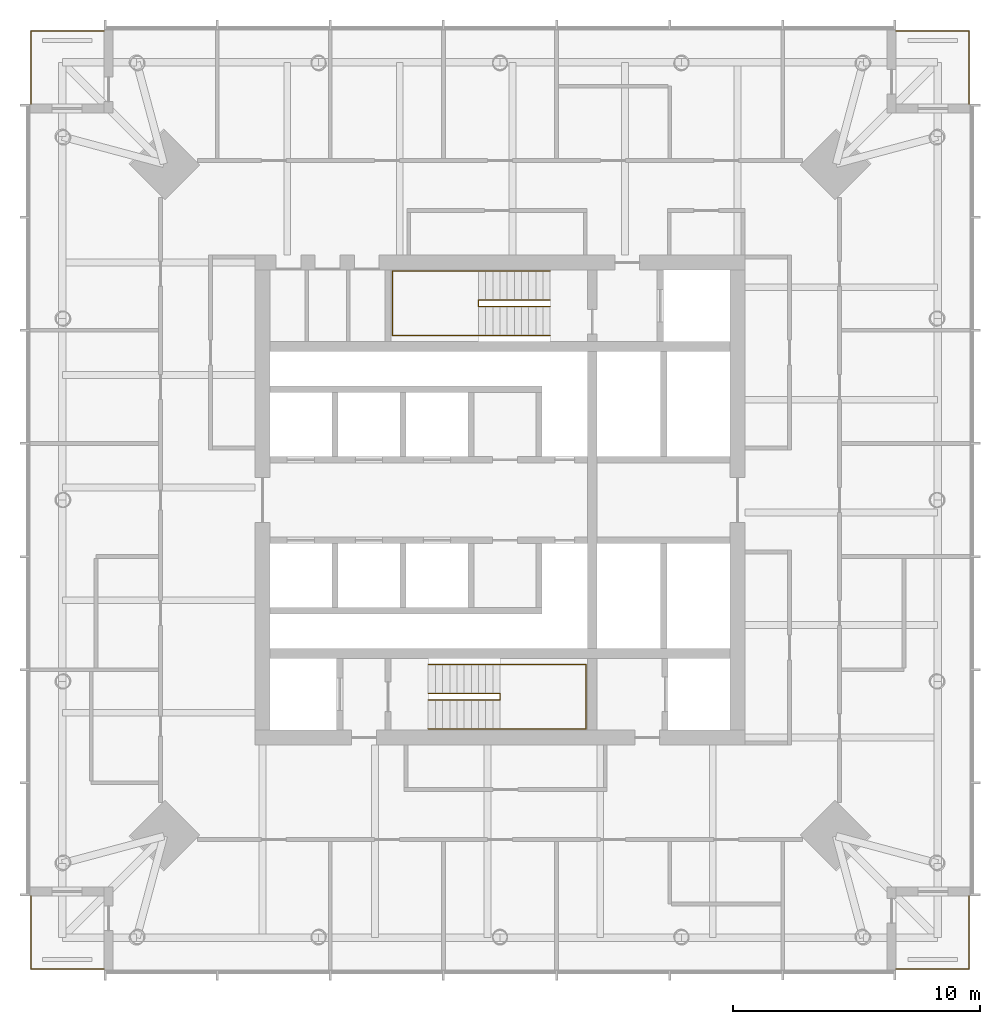
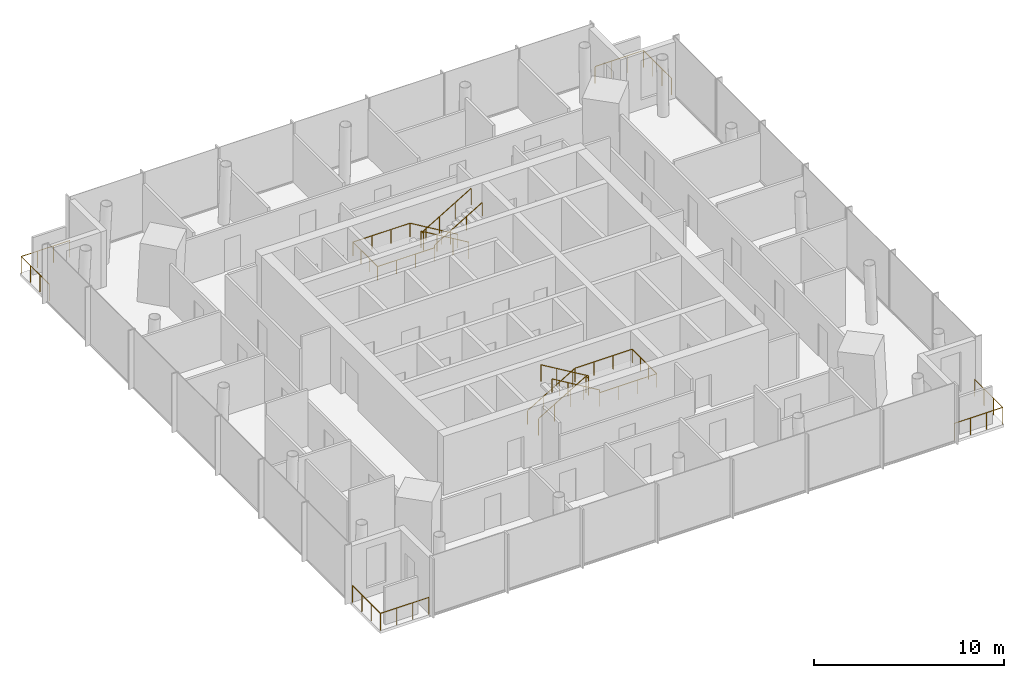
# One storey, part 7 of 7: 8 railings.
"""IFC4 building model written with IfcOpenShell, lengths in metres."""

from ifc_helpers import new_model, si_unit, direction, frame, origin, origin_2d, place, context, subcontext, project, spatial, circle, extrude, material, type_object, element, save


model = new_model("IFC4")

# Units and contexts
model_context = context("Model", 3, precision=1e-05, world=origin(), true_north=direction((0.0, 1.0)))
body_context = subcontext(model_context, "Body", "Model", "MODEL_VIEW")
ifc_project = project(units=[si_unit("LENGTHUNIT", "METRE"), si_unit("AREAUNIT", "SQUARE_METRE"), si_unit("VOLUMEUNIT", "CUBIC_METRE"), si_unit("PLANEANGLEUNIT", "RADIAN"), si_unit("MASSUNIT", "GRAM", prefix="KILO")], contexts=[model_context])

# Site, building, storey
site_placement = place(None, origin())
site = spatial("IfcSite", under=ifc_project, at=site_placement, CompositionType="ELEMENT")
building_placement = place(site_placement, origin())
building = spatial("IfcBuilding", under=site, at=building_placement, Name="Ostroluk Exchange", CompositionType="ELEMENT")
storey_placement = place(building_placement, frame((0.0, 0.0, 218.60009765625)))
storey = spatial("IfcBuildingStorey", under=building, at=storey_placement, Name="L56", CompositionType="ELEMENT", Elevation=218.60009765625)

# Railings
ifc_material_1 = material(Name="Stainless steel", Category="steel")
railing_type_1 = type_object("IfcRailingType", Name="Guard 1100 stainless steel", PredefinedType="GUARDRAIL", material=ifc_material_1)
railing_1_placement = place(storey_placement, frame((61.0, 27.050048828125, 0.0)))
element("IfcRailing", 1, at=railing_1_placement, inside=storey, type_object=railing_type_1, Name="Office tower SE balcony guard L56", PredefinedType="GUARDRAIL", context=body_context, shape_type="SweptSolid", body=[
    extrude(circle(Radius=0.02392578125, at=origin_2d()), frame((0.0, 0.0, 1.076171875), z_axis=(1.0, 0.0, 0.0), x_axis=(0.0, 1.0, 0.0)), (0.0, 0.0, 1.0), 2.949951171875),
    extrude(circle(Radius=0.02392578125, at=origin_2d()), frame((2.949951171875, 0.0, 1.076171875), z_axis=(0.0, 1.0, 0.0), x_axis=(-1.0, 0.0, 0.0)), (0.0, 0.0, 1.0), 2.949951171875),
    extrude(circle(Radius=0.02099609375, at=origin_2d()), origin(), (0.0, 0.0, 1.0), 1.052001953125),
    extrude(circle(Radius=0.02099609375, at=origin_2d()), frame((0.9833984375, 0.0, 0.0)), (0.0, 0.0, 1.0), 1.052001953125),
    extrude(circle(Radius=0.02099609375, at=origin_2d()), frame((1.966552734375, 0.0, 0.0)), (0.0, 0.0, 1.0), 1.052001953125),
    extrude(circle(Radius=0.02099609375, at=origin_2d()), frame((2.949951171875, 0.0, 0.0)), (0.0, 0.0, 1.0), 1.052001953125),
    extrude(circle(Radius=0.02099609375, at=origin_2d()), frame((2.949951171875, 0.9833984375, 0.0)), (0.0, 0.0, 1.0), 1.052001953125),
    extrude(circle(Radius=0.02099609375, at=origin_2d()), frame((2.949951171875, 1.966552734375, 0.0)), (0.0, 0.0, 1.0), 1.052001953125),
    extrude(circle(Radius=0.02099609375, at=origin_2d()), frame((2.949951171875, 2.949951171875, 0.0)), (0.0, 0.0, 1.0), 1.052001953125),
])
railing_2_placement = place(storey_placement, frame((61.0, 64.949951171875, 0.0)))
element("IfcRailing", 2, at=railing_2_placement, inside=storey, type_object=railing_type_1, Name="Office tower NE balcony guard L56", PredefinedType="GUARDRAIL", context=body_context, shape_type="SweptSolid", body=[
    extrude(circle(Radius=0.02392578125, at=origin_2d()), frame((0.0, 0.0, 1.076171875), z_axis=(1.0, 0.0, 0.0), x_axis=(0.0, 1.0, 0.0)), (0.0, 0.0, 1.0), 2.949951171875),
    extrude(circle(Radius=0.02392578125, at=origin_2d()), frame((2.949951171875, 0.0, 1.076171875), z_axis=(0.0, -1.0, 0.0), x_axis=(1.0, 0.0, 0.0)), (0.0, 0.0, 1.0), 2.949951171875),
    extrude(circle(Radius=0.02099609375, at=origin_2d()), origin(), (0.0, 0.0, 1.0), 1.052001953125),
    extrude(circle(Radius=0.02099609375, at=origin_2d()), frame((0.9833984375, 0.0, 0.0)), (0.0, 0.0, 1.0), 1.052001953125),
    extrude(circle(Radius=0.02099609375, at=origin_2d()), frame((1.966552734375, 0.0, 0.0)), (0.0, 0.0, 1.0), 1.052001953125),
    extrude(circle(Radius=0.02099609375, at=origin_2d()), frame((2.949951171875, 0.0, 0.0)), (0.0, 0.0, 1.0), 1.052001953125),
    extrude(circle(Radius=0.02099609375, at=origin_2d()), frame((2.949951171875, -0.9833984375, 0.0)), (0.0, 0.0, 1.0), 1.052001953125),
    extrude(circle(Radius=0.02099609375, at=origin_2d()), frame((2.949951171875, -1.966552734375, 0.0)), (0.0, 0.0, 1.0), 1.052001953125),
    extrude(circle(Radius=0.02099609375, at=origin_2d()), frame((2.949951171875, -2.949951171875, 0.0)), (0.0, 0.0, 1.0), 1.052001953125),
])
railing_3_placement = place(storey_placement, frame((29.0, 64.949951171875, 0.0)))
element("IfcRailing", 3, at=railing_3_placement, inside=storey, type_object=railing_type_1, Name="Office tower NW balcony guard L56", PredefinedType="GUARDRAIL", context=body_context, shape_type="SweptSolid", body=[
    extrude(circle(Radius=0.02392578125, at=origin_2d()), frame((0.0, 0.0, 1.076171875), z_axis=(-1.0, 0.0, 0.0), x_axis=(0.0, -1.0, 0.0)), (0.0, 0.0, 1.0), 2.949951171875),
    extrude(circle(Radius=0.02392578125, at=origin_2d()), frame((-2.949951171875, 0.0, 1.076171875), z_axis=(0.0, -1.0, 0.0), x_axis=(1.0, 0.0, 0.0)), (0.0, 0.0, 1.0), 2.949951171875),
    extrude(circle(Radius=0.02099609375, at=origin_2d()), origin(), (0.0, 0.0, 1.0), 1.052001953125),
    extrude(circle(Radius=0.02099609375, at=origin_2d()), frame((-0.9833984375, 0.0, 0.0)), (0.0, 0.0, 1.0), 1.052001953125),
    extrude(circle(Radius=0.02099609375, at=origin_2d()), frame((-1.966552734375, 0.0, 0.0)), (0.0, 0.0, 1.0), 1.052001953125),
    extrude(circle(Radius=0.02099609375, at=origin_2d()), frame((-2.949951171875, 0.0, 0.0)), (0.0, 0.0, 1.0), 1.052001953125),
    extrude(circle(Radius=0.02099609375, at=origin_2d()), frame((-2.949951171875, -0.9833984375, 0.0)), (0.0, 0.0, 1.0), 1.052001953125),
    extrude(circle(Radius=0.02099609375, at=origin_2d()), frame((-2.949951171875, -1.966552734375, 0.0)), (0.0, 0.0, 1.0), 1.052001953125),
    extrude(circle(Radius=0.02099609375, at=origin_2d()), frame((-2.949951171875, -2.949951171875, 0.0)), (0.0, 0.0, 1.0), 1.052001953125),
])
railing_4_placement = place(storey_placement, frame((29.0, 27.050048828125, 0.0)))
element("IfcRailing", 4, at=railing_4_placement, inside=storey, type_object=railing_type_1, Name="Office tower SW balcony guard L56", PredefinedType="GUARDRAIL", context=body_context, shape_type="SweptSolid", body=[
    extrude(circle(Radius=0.02392578125, at=origin_2d()), frame((0.0, 0.0, 1.076171875), z_axis=(-1.0, 0.0, 0.0), x_axis=(0.0, -1.0, 0.0)), (0.0, 0.0, 1.0), 2.949951171875),
    extrude(circle(Radius=0.02392578125, at=origin_2d()), frame((-2.949951171875, 0.0, 1.076171875), z_axis=(0.0, 1.0, 0.0), x_axis=(-1.0, 0.0, 0.0)), (0.0, 0.0, 1.0), 2.949951171875),
    extrude(circle(Radius=0.02099609375, at=origin_2d()), origin(), (0.0, 0.0, 1.0), 1.052001953125),
    extrude(circle(Radius=0.02099609375, at=origin_2d()), frame((-0.9833984375, 0.0, 0.0)), (0.0, 0.0, 1.0), 1.052001953125),
    extrude(circle(Radius=0.02099609375, at=origin_2d()), frame((-1.966552734375, 0.0, 0.0)), (0.0, 0.0, 1.0), 1.052001953125),
    extrude(circle(Radius=0.02099609375, at=origin_2d()), frame((-2.949951171875, 0.0, 0.0)), (0.0, 0.0, 1.0), 1.052001953125),
    extrude(circle(Radius=0.02099609375, at=origin_2d()), frame((-2.949951171875, 0.9833984375, 0.0)), (0.0, 0.0, 1.0), 1.052001953125),
    extrude(circle(Radius=0.02099609375, at=origin_2d()), frame((-2.949951171875, 1.966552734375, 0.0)), (0.0, 0.0, 1.0), 1.052001953125),
    extrude(circle(Radius=0.02099609375, at=origin_2d()), frame((-2.949951171875, 2.949951171875, 0.0)), (0.0, 0.0, 1.0), 1.052001953125),
])
ifc_material_2 = material(Name="Steel S355", Category="steel")
railing_type_2 = type_object("IfcRailingType", Name="Stair guard 1100", PredefinedType="GUARDRAIL", material=ifc_material_2)
railing_5_placement = place(storey_placement, frame((42.10009765625, 38.179931640625, 0.172607421875)))
element("IfcRailing", 5, at=railing_5_placement, inside=storey, type_object=railing_type_2, Name="Stair T1-S1 guard L56", PredefinedType="GUARDRAIL", context=body_context, shape_type="SweptSolid", body=[
    extrude(circle(Radius=0.02392578125, at=origin_2d()), frame((0.0, 0.0, 1.076171875), z_axis=(0.859141464434, 0.0, 0.511738159696), x_axis=(0.0, 1.0, 0.0)), (0.0, 0.0, 1.0), 3.375244140625),
    extrude(circle(Radius=0.02392578125, at=origin_2d()), frame((2.89990234375, 0.0, 2.80322265625), z_axis=(0.0, -1.0, 0.0), x_axis=(1.0, 0.0, 0.0)), (0.0, 0.0, 1.0), 0.260009765625),
    extrude(circle(Radius=0.02392578125, at=origin_2d()), frame((2.89990234375, -0.260009765625, 2.80322265625), z_axis=(0.0, 0.0, 1.0), x_axis=(1.0, 0.0, 0.0)), (0.0, 0.0, 1.0), 0.172607421875),
    extrude(circle(Radius=0.02392578125, at=origin_2d()), frame((2.89990234375, -0.260009765625, 2.97607421875), z_axis=(-0.859141464434, 0.0, 0.511738159696), x_axis=(0.0, -1.0, 0.0)), (0.0, 0.0, 1.0), 3.375244140625),
    extrude(circle(Radius=0.02099609375, at=origin_2d()), origin(), (0.0, 0.0, 1.0), 1.052001953125),
    extrude(circle(Radius=0.02099609375, at=origin_2d()), frame((0.966552734375, 0.0, 0.57568359375)), (0.0, 0.0, 1.0), 1.052001953125),
    extrude(circle(Radius=0.02099609375, at=origin_2d()), frame((1.933349609375, 0.0, 1.151611328125)), (0.0, 0.0, 1.0), 1.052001953125),
    extrude(circle(Radius=0.02099609375, at=origin_2d()), frame((2.89990234375, 0.0, 1.727294921875)), (0.0, 0.0, 1.0), 1.052001953125),
    extrude(circle(Radius=0.02099609375, at=origin_2d()), frame((2.89990234375, -0.260009765625, 1.727294921875)), (0.0, 0.0, 1.0), 1.052001953125),
    extrude(circle(Radius=0.02099609375, at=origin_2d()), frame((2.89990234375, -0.260009765625, 1.89990234375)), (0.0, 0.0, 1.0), 1.052001953125),
    extrude(circle(Radius=0.02099609375, at=origin_2d()), frame((1.933349609375, -0.260009765625, 2.4755859375)), (0.0, 0.0, 1.0), 1.052001953125),
    extrude(circle(Radius=0.02099609375, at=origin_2d()), frame((0.966552734375, -0.260009765625, 3.051513671875)), (0.0, 0.0, 1.0), 1.052001953125),
    extrude(circle(Radius=0.02099609375, at=origin_2d()), frame((0.0, -0.260009765625, 3.627197265625)), (0.0, 0.0, 1.0), 1.052001953125),
])
railing_6_placement = place(storey_placement, frame((47.030029296875, 54.080078125, 0.172607421875)))
element("IfcRailing", 6, at=railing_6_placement, inside=storey, type_object=railing_type_2, Name="Stair T1-S2 guard L56", PredefinedType="GUARDRAIL", context=body_context, shape_type="SweptSolid", body=[
    extrude(circle(Radius=0.02392578125, at=origin_2d()), frame((0.0, 0.0, 1.076171875), z_axis=(-0.859160404282, 0.0, 0.51170636083), x_axis=(0.0, -1.0, 0.0)), (0.0, 0.0, 1.0), 3.37548828125),
    extrude(circle(Radius=0.02392578125, at=origin_2d()), frame((-2.900146484375, 0.0, 2.80322265625), z_axis=(0.0, -1.0, 0.0), x_axis=(1.0, 0.0, 0.0)), (0.0, 0.0, 1.0), 0.260009765625),
    extrude(circle(Radius=0.02392578125, at=origin_2d()), frame((-2.900146484375, -0.260009765625, 2.80322265625), z_axis=(0.0, 0.0, 1.0), x_axis=(1.0, 0.0, 0.0)), (0.0, 0.0, 1.0), 0.172607421875),
    extrude(circle(Radius=0.02392578125, at=origin_2d()), frame((-2.900146484375, -0.260009765625, 2.97607421875), z_axis=(0.859160404282, 0.0, 0.51170636083), x_axis=(0.0, 1.0, 0.0)), (0.0, 0.0, 1.0), 3.37548828125),
    extrude(circle(Radius=0.02099609375, at=origin_2d()), origin(), (0.0, 0.0, 1.0), 1.052001953125),
    extrude(circle(Radius=0.02099609375, at=origin_2d()), frame((-0.966796875, 0.0, 0.57568359375)), (0.0, 0.0, 1.0), 1.052001953125),
    extrude(circle(Radius=0.02099609375, at=origin_2d()), frame((-1.933349609375, 0.0, 1.151611328125)), (0.0, 0.0, 1.0), 1.052001953125),
    extrude(circle(Radius=0.02099609375, at=origin_2d()), frame((-2.900146484375, 0.0, 1.727294921875)), (0.0, 0.0, 1.0), 1.052001953125),
    extrude(circle(Radius=0.02099609375, at=origin_2d()), frame((-2.900146484375, -0.260009765625, 1.727294921875)), (0.0, 0.0, 1.0), 1.052001953125),
    extrude(circle(Radius=0.02099609375, at=origin_2d()), frame((-2.900146484375, -0.260009765625, 1.89990234375)), (0.0, 0.0, 1.0), 1.052001953125),
    extrude(circle(Radius=0.02099609375, at=origin_2d()), frame((-1.933349609375, -0.260009765625, 2.4755859375)), (0.0, 0.0, 1.0), 1.052001953125),
    extrude(circle(Radius=0.02099609375, at=origin_2d()), frame((-0.966796875, -0.260009765625, 3.051513671875)), (0.0, 0.0, 1.0), 1.052001953125),
    extrude(circle(Radius=0.02099609375, at=origin_2d()), frame((0.0, -0.260009765625, 3.627197265625)), (0.0, 0.0, 1.0), 1.052001953125),
])
ifc_material_3 = material(Name="Stainless steel", Category="steel")
railing_type_3 = type_object("IfcRailingType", Name="Stair handrail 900", PredefinedType="HANDRAIL", material=ifc_material_3)
railing_7_placement = place(storey_placement, frame((42.10009765625, 39.35009765625, 0.172607421875)))
element("IfcRailing", 7, at=railing_7_placement, inside=storey, type_object=railing_type_3, Name="Stair T1-S1 handrail L56", PredefinedType="HANDRAIL", context=body_context, shape_type="SweptSolid", body=[
    extrude(circle(Radius=0.02392578125, at=origin_2d()), frame((0.0, 0.0, 0.8759765625), z_axis=(0.859141464434, 0.0, 0.511738159696), x_axis=(0.0, 1.0, 0.0)), (0.0, 0.0, 1.0), 3.375244140625),
    extrude(circle(Radius=0.02392578125, at=origin_2d()), frame((2.89990234375, 0.0, 2.60302734375), z_axis=(1.0, 0.0, 0.0), x_axis=(0.0, 1.0, 0.0)), (0.0, 0.0, 1.0), 3.47998046875),
    extrude(circle(Radius=0.02392578125, at=origin_2d()), frame((6.3798828125, 0.0, 2.60302734375), z_axis=(0.0, -1.0, 0.0), x_axis=(1.0, 0.0, 0.0)), (0.0, 0.0, 1.0), 2.60009765625),
    extrude(circle(Radius=0.02392578125, at=origin_2d()), frame((6.3798828125, -2.60009765625, 2.60302734375), z_axis=(-1.0, 0.0, 0.0), x_axis=(0.0, -1.0, 0.0)), (0.0, 0.0, 1.0), 3.47998046875),
    extrude(circle(Radius=0.02392578125, at=origin_2d()), frame((2.89990234375, -2.60009765625, 2.60302734375), z_axis=(0.0, 0.0, 1.0), x_axis=(1.0, 0.0, 0.0)), (0.0, 0.0, 1.0), 0.172607421875),
    extrude(circle(Radius=0.02392578125, at=origin_2d()), frame((2.89990234375, -2.60009765625, 2.77587890625), z_axis=(-0.859141464434, 0.0, 0.511738159696), x_axis=(0.0, -1.0, 0.0)), (0.0, 0.0, 1.0), 3.375244140625),
    extrude(circle(Radius=0.02099609375, at=origin_2d()), origin(), (0.0, 0.0, 1.0), 0.851806640625),
    extrude(circle(Radius=0.02099609375, at=origin_2d()), frame((0.966552734375, 0.0, 0.57568359375)), (0.0, 0.0, 1.0), 0.851806640625),
    extrude(circle(Radius=0.02099609375, at=origin_2d()), frame((1.933349609375, 0.0, 1.151611328125)), (0.0, 0.0, 1.0), 0.851806640625),
    extrude(circle(Radius=0.02099609375, at=origin_2d()), frame((2.89990234375, 0.0, 1.727294921875)), (0.0, 0.0, 1.0), 0.851806640625),
    extrude(circle(Radius=0.02099609375, at=origin_2d()), frame((4.059814453125, 0.0, 1.727294921875)), (0.0, 0.0, 1.0), 0.851806640625),
    extrude(circle(Radius=0.02099609375, at=origin_2d()), frame((5.219970703125, 0.0, 1.727294921875)), (0.0, 0.0, 1.0), 0.851806640625),
    extrude(circle(Radius=0.02099609375, at=origin_2d()), frame((6.3798828125, 0.0, 1.727294921875)), (0.0, 0.0, 1.0), 0.851806640625),
    extrude(circle(Radius=0.02099609375, at=origin_2d()), frame((6.3798828125, -0.86669921875, 1.727294921875)), (0.0, 0.0, 1.0), 0.851806640625),
    extrude(circle(Radius=0.02099609375, at=origin_2d()), frame((6.3798828125, -1.7333984375, 1.727294921875)), (0.0, 0.0, 1.0), 0.851806640625),
    extrude(circle(Radius=0.02099609375, at=origin_2d()), frame((6.3798828125, -2.60009765625, 1.727294921875)), (0.0, 0.0, 1.0), 0.851806640625),
    extrude(circle(Radius=0.02099609375, at=origin_2d()), frame((5.219970703125, -2.60009765625, 1.727294921875)), (0.0, 0.0, 1.0), 0.851806640625),
    extrude(circle(Radius=0.02099609375, at=origin_2d()), frame((4.059814453125, -2.60009765625, 1.727294921875)), (0.0, 0.0, 1.0), 0.851806640625),
    extrude(circle(Radius=0.02099609375, at=origin_2d()), frame((2.89990234375, -2.60009765625, 1.727294921875)), (0.0, 0.0, 1.0), 0.851806640625),
    extrude(circle(Radius=0.02099609375, at=origin_2d()), frame((2.89990234375, -2.60009765625, 1.89990234375)), (0.0, 0.0, 1.0), 0.851806640625),
    extrude(circle(Radius=0.02099609375, at=origin_2d()), frame((1.933349609375, -2.60009765625, 2.4755859375)), (0.0, 0.0, 1.0), 0.851806640625),
    extrude(circle(Radius=0.02099609375, at=origin_2d()), frame((0.966552734375, -2.60009765625, 3.051513671875)), (0.0, 0.0, 1.0), 0.851806640625),
    extrude(circle(Radius=0.02099609375, at=origin_2d()), frame((0.0, -2.60009765625, 3.627197265625)), (0.0, 0.0, 1.0), 0.851806640625),
])
railing_8_placement = place(storey_placement, frame((47.030029296875, 55.25, 0.172607421875)))
element("IfcRailing", 8, at=railing_8_placement, inside=storey, type_object=railing_type_3, Name="Stair T1-S2 handrail L56", PredefinedType="HANDRAIL", context=body_context, shape_type="SweptSolid", body=[
    extrude(circle(Radius=0.02392578125, at=origin_2d()), frame((0.0, 0.0, 0.8759765625), z_axis=(-0.859160404282, 0.0, 0.51170636083), x_axis=(0.0, -1.0, 0.0)), (0.0, 0.0, 1.0), 3.37548828125),
    extrude(circle(Radius=0.02392578125, at=origin_2d()), frame((-2.900146484375, 0.0, 2.60302734375), z_axis=(-1.0, 0.0, 0.0), x_axis=(0.0, -1.0, 0.0)), (0.0, 0.0, 1.0), 3.47998046875),
    extrude(circle(Radius=0.02392578125, at=origin_2d()), frame((-6.380126953125, 0.0, 2.60302734375), z_axis=(0.0, -1.0, 0.0), x_axis=(1.0, 0.0, 0.0)), (0.0, 0.0, 1.0), 2.60009765625),
    extrude(circle(Radius=0.02392578125, at=origin_2d()), frame((-6.380126953125, -2.60009765625, 2.60302734375), z_axis=(1.0, 0.0, 0.0), x_axis=(0.0, 1.0, 0.0)), (0.0, 0.0, 1.0), 3.47998046875),
    extrude(circle(Radius=0.02392578125, at=origin_2d()), frame((-2.900146484375, -2.60009765625, 2.60302734375), z_axis=(0.0, 0.0, 1.0), x_axis=(1.0, 0.0, 0.0)), (0.0, 0.0, 1.0), 0.172607421875),
    extrude(circle(Radius=0.02392578125, at=origin_2d()), frame((-2.900146484375, -2.60009765625, 2.77587890625), z_axis=(0.859160404282, 0.0, 0.51170636083), x_axis=(0.0, 1.0, 0.0)), (0.0, 0.0, 1.0), 3.37548828125),
    extrude(circle(Radius=0.02099609375, at=origin_2d()), origin(), (0.0, 0.0, 1.0), 0.851806640625),
    extrude(circle(Radius=0.02099609375, at=origin_2d()), frame((-0.966796875, 0.0, 0.57568359375)), (0.0, 0.0, 1.0), 0.851806640625),
    extrude(circle(Radius=0.02099609375, at=origin_2d()), frame((-1.933349609375, 0.0, 1.151611328125)), (0.0, 0.0, 1.0), 0.851806640625),
    extrude(circle(Radius=0.02099609375, at=origin_2d()), frame((-2.900146484375, 0.0, 1.727294921875)), (0.0, 0.0, 1.0), 0.851806640625),
    extrude(circle(Radius=0.02099609375, at=origin_2d()), frame((-4.06005859375, 0.0, 1.727294921875)), (0.0, 0.0, 1.0), 0.851806640625),
    extrude(circle(Radius=0.02099609375, at=origin_2d()), frame((-5.22021484375, 0.0, 1.727294921875)), (0.0, 0.0, 1.0), 0.851806640625),
    extrude(circle(Radius=0.02099609375, at=origin_2d()), frame((-6.380126953125, 0.0, 1.727294921875)), (0.0, 0.0, 1.0), 0.851806640625),
    extrude(circle(Radius=0.02099609375, at=origin_2d()), frame((-6.380126953125, -0.86669921875, 1.727294921875)), (0.0, 0.0, 1.0), 0.851806640625),
    extrude(circle(Radius=0.02099609375, at=origin_2d()), frame((-6.380126953125, -1.7333984375, 1.727294921875)), (0.0, 0.0, 1.0), 0.851806640625),
    extrude(circle(Radius=0.02099609375, at=origin_2d()), frame((-6.380126953125, -2.60009765625, 1.727294921875)), (0.0, 0.0, 1.0), 0.851806640625),
    extrude(circle(Radius=0.02099609375, at=origin_2d()), frame((-5.22021484375, -2.60009765625, 1.727294921875)), (0.0, 0.0, 1.0), 0.851806640625),
    extrude(circle(Radius=0.02099609375, at=origin_2d()), frame((-4.06005859375, -2.60009765625, 1.727294921875)), (0.0, 0.0, 1.0), 0.851806640625),
    extrude(circle(Radius=0.02099609375, at=origin_2d()), frame((-2.900146484375, -2.60009765625, 1.727294921875)), (0.0, 0.0, 1.0), 0.851806640625),
    extrude(circle(Radius=0.02099609375, at=origin_2d()), frame((-2.900146484375, -2.60009765625, 1.89990234375)), (0.0, 0.0, 1.0), 0.851806640625),
    extrude(circle(Radius=0.02099609375, at=origin_2d()), frame((-1.933349609375, -2.60009765625, 2.4755859375)), (0.0, 0.0, 1.0), 0.851806640625),
    extrude(circle(Radius=0.02099609375, at=origin_2d()), frame((-0.966796875, -2.60009765625, 3.051513671875)), (0.0, 0.0, 1.0), 0.851806640625),
    extrude(circle(Radius=0.02099609375, at=origin_2d()), frame((0.0, -2.60009765625, 3.627197265625)), (0.0, 0.0, 1.0), 0.851806640625),
])

save(model, "model.ifc")
